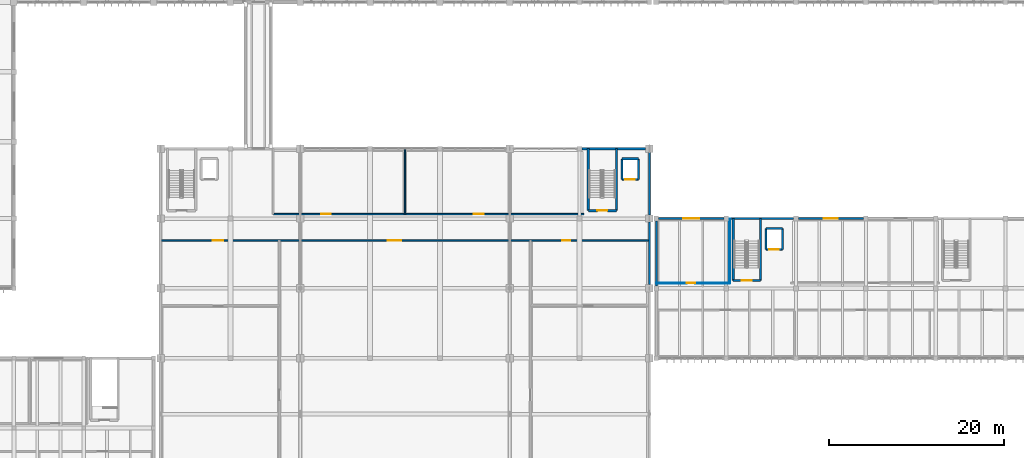
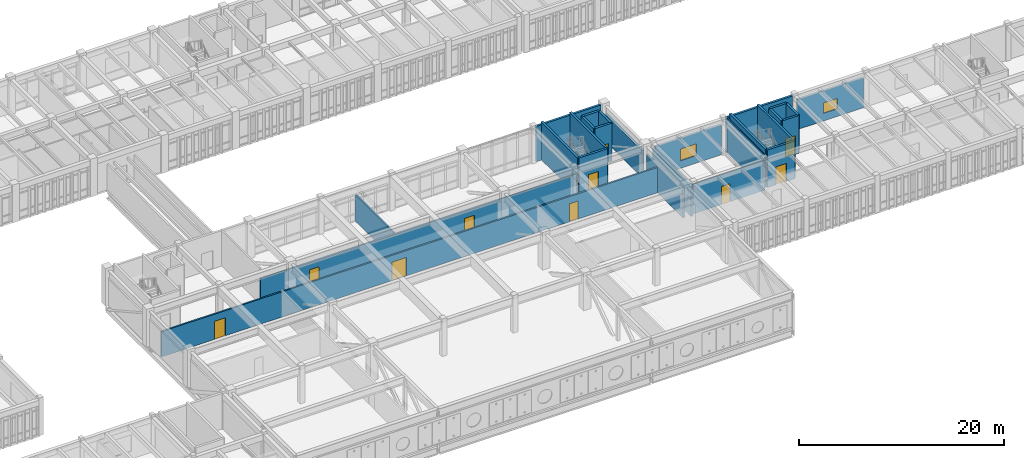
# One storey, part 57 of 79: 26 walls, 10 doors, 2 windows, 12 openings.
"""IFC4 building model written with IfcOpenShell, lengths in metres."""

import ifcopenshell
import ifcopenshell.guid

model = None  # the IFC model being written
_history = None  # IfcOwnerHistory: only IFC2X3 demands one
_inside = {}  # id of a spatial element -> (the spatial element, [elements in it])
_under = {}  # id of a project, library or spatial element -> (it, [spatial elements below it])
_declared = {}  # id of a project -> (the project, [libraries it declares])
_typed = {}  # id of a type object -> (the type object, [elements of that type])
_made_of = {}  # id of a material, layer set ... -> (it, [elements and type objects made of it])


def new_model(schema):
    """Start an empty IFC model of exactly this schema.

    Asked for "IFC4X3", IfcOpenShell would pick the latest addendum, in which some entities
    have other attributes; the version numbers below select the first issue.
    IFC2X3 requires an IfcOwnerHistory on every rooted entity: one is made here for all.
    """
    global model, _history
    if schema == "IFC4X3":
        model = ifcopenshell.file(schema_version=(4, 3, 0, 0))
    else:
        model = ifcopenshell.file(schema=schema)
    _inside.clear()
    _under.clear()
    _declared.clear()
    _typed.clear()
    _made_of.clear()
    _history = None
    if model.schema == "IFC2X3":
        org = make("IfcOrganization", Name="unknown")
        user = make(
            "IfcPersonAndOrganization",
            ThePerson=make("IfcPerson", FamilyName="unknown"),
            TheOrganization=org,
        )
        app = make(
            "IfcApplication",
            ApplicationDeveloper=org,
            Version="unknown",
            ApplicationFullName="unknown",
            ApplicationIdentifier="unknown",
        )
        _history = make(
            "IfcOwnerHistory",
            OwningUser=user,
            OwningApplication=app,
            ChangeAction="ADDED",
            CreationDate=0,
        )
    return model


def make(cls, **values):
    """One entity of the class cls with the attributes given. An attribute that is None is left unset."""
    return model.create_entity(
        cls, **{name: value for name, value in values.items() if value is not None}
    )


def rooted(cls, **values):
    """An entity with a GlobalId (a new one), such as an element, a storey or a relation."""
    return make(cls, GlobalId=ifcopenshell.guid.new(), OwnerHistory=_history, **values)


def si_unit(unit_type, name, prefix=None):
    """IfcSIUnit, for example si_unit("LENGTHUNIT", "METRE", prefix="MILLI")."""
    return make("IfcSIUnit", UnitType=unit_type, Prefix=prefix, Name=name)


def assignment(units):
    """IfcUnitAssignment: the units of a project."""
    return None if units is None else make("IfcUnitAssignment", Units=units)


def point(xyz):
    """IfcCartesianPoint."""
    return None if xyz is None else make("IfcCartesianPoint", Coordinates=xyz)


def direction(xyz):
    """IfcDirection."""
    return None if xyz is None else make("IfcDirection", DirectionRatios=xyz)


def frame(location, z_axis=None, x_axis=None):
    """IfcAxis2Placement3D, a coordinate frame: its origin and axes. An axis left out is left unset."""
    return make(
        "IfcAxis2Placement3D",
        Location=point(location),
        Axis=direction(z_axis),
        RefDirection=direction(x_axis),
    )


def frame_2d(location, x_axis=None):
    """IfcAxis2Placement2D, a coordinate frame in the plane: its origin and x axis."""
    return make(
        "IfcAxis2Placement2D", Location=point(location), RefDirection=direction(x_axis)
    )


def origin():
    """The frame at (0, 0, 0) with its axes left unset."""
    return frame((0.0, 0.0, 0.0))


def place(relative_to, where):
    """IfcLocalPlacement: puts the frame where relative to a parent placement (None: the world)."""
    return make(
        "IfcLocalPlacement", PlacementRelTo=relative_to, RelativePlacement=where
    )


def context(
    kind, dimensions, precision=None, world=None, true_north=None, identifier=None
):
    """IfcGeometricRepresentationContext, for example the 3D "Model" context."""
    return make(
        "IfcGeometricRepresentationContext",
        ContextIdentifier=identifier,
        ContextType=kind,
        CoordinateSpaceDimension=dimensions,
        Precision=precision,
        WorldCoordinateSystem=world,
        TrueNorth=true_north,
    )


def subcontext(parent, identifier, kind, view, scale=None):
    """IfcGeometricRepresentationSubContext, for example "Body" below "Model"."""
    return make(
        "IfcGeometricRepresentationSubContext",
        ContextIdentifier=identifier,
        ContextType=kind,
        ParentContext=parent,
        TargetScale=scale,
        TargetView=view,
    )


def project(units=None, contexts=None):
    """IfcProject with its units and contexts."""
    return rooted(
        "IfcProject",
        Name="project",
        RepresentationContexts=contexts,
        UnitsInContext=assignment(units),
    )


def spatial(cls, under=None, at=None, **own):
    """A site, building, storey or space (cls), placed at a placement, below another one or the project."""
    s = rooted(cls, ObjectPlacement=at, **own)
    if under is not None:
        _under.setdefault(under.id(), (under, []))[1].append(s)
    return s


def profile(cls, at=None, kind="AREA", **sizes):
    """A parametric profile (cls). Its sizes go by their IFC names, for example OverallWidth=200.0."""
    return make(cls, ProfileType=kind, Position=at, **sizes)


def rectangle(**sizes):
    """IfcRectangleProfileDef."""
    return profile("IfcRectangleProfileDef", **sizes)


def extrude(swept, where, along, depth):
    """IfcExtrudedAreaSolid: the profile swept, set in the frame where, extruded along a direction by depth."""
    return make(
        "IfcExtrudedAreaSolid",
        SweptArea=swept,
        Position=where,
        ExtrudedDirection=direction(along),
        Depth=depth,
    )


def shape(context_of_items, identifier, shape_type, items):
    """IfcShapeRepresentation: the items that make up one representation, for example the "Body"."""
    return make(
        "IfcShapeRepresentation",
        ContextOfItems=context_of_items,
        RepresentationIdentifier=identifier,
        RepresentationType=shape_type,
        Items=items,
    )


def material(Name=None, Category=None):
    """IfcMaterial."""
    return make("IfcMaterial", Name=Name, Category=Category)


def layer(
    of_material, thickness, ventilated=None, Name=None, Category=None, Priority=None
):
    """IfcMaterialLayer: one layer of a wall or slab, of a material (None: an air gap)."""
    return make(
        "IfcMaterialLayer",
        Material=of_material,
        LayerThickness=thickness,
        IsVentilated=ventilated,
        Name=Name,
        Category=Category,
        Priority=Priority,
    )


def layer_set(layers, Name=None):
    """IfcMaterialLayerSet."""
    return make("IfcMaterialLayerSet", MaterialLayers=layers, LayerSetName=Name)


def made_of(thing, what):
    """Note that an element or type object is made of a material, layer set ...; save() writes the relation."""
    if what is not None:
        _made_of.setdefault(what.id(), (what, []))[1].append(thing)
    return thing


def type_object(cls, material=None, **own):
    """A type object (cls), such as IfcWallType, which elements share."""
    return made_of(rooted(cls, **own), material)


def element(
    cls,
    number,
    at=None,
    inside=None,
    cuts=None,
    type_object=None,
    material=None,
    context=None,
    identifier="Body",
    shape_type=None,
    held_by="IfcProductDefinitionShape",
    body=None,
    shapes=None,
    **own,
):
    """One element of the class cls, such as IfcWall. Its Tag is "e" and its number.

    at: its placement. inside: the storey or other place that contains it. cuts: it is an
    opening in that element (IfcRelVoidsElement). A single representation is given by context,
    identifier, shape_type and body (its items); several are given by shapes. held_by: the class
    of the entity that holds the representations. save() writes the other relations.
    """
    e = rooted(cls, Tag="e%d" % number, ObjectPlacement=at, **own)
    if body is not None:
        shapes = [shape(context, identifier, shape_type, body)]
    if shapes is not None:
        e.Representation = make(held_by, Representations=shapes)
    if inside is not None:
        _inside.setdefault(inside.id(), (inside, []))[1].append(e)
    if cuts is not None:
        rooted(
            "IfcRelVoidsElement", RelatingBuildingElement=cuts, RelatedOpeningElement=e
        )
    if type_object is not None:
        _typed.setdefault(type_object.id(), (type_object, []))[1].append(e)
    return made_of(e, material)


def fill(opening, filler):
    """IfcRelFillsElement: the door or window that sits in an opening."""
    return rooted(
        "IfcRelFillsElement",
        RelatingOpeningElement=opening,
        RelatedBuildingElement=filler,
    )


def aggregate(whole, parts):
    """IfcRelAggregates: a whole, such as a stair, and the parts it consists of."""
    return rooted("IfcRelAggregates", RelatingObject=whole, RelatedObjects=parts)


def save(model, path):
    """Write the relations noted so far, then the file.

    IfcRelAggregates (storeys below a building ...), IfcRelContainedInSpatialStructure (elements
    in a storey), IfcRelDefinesByType, IfcRelAssociatesMaterial and IfcRelDeclares: one each for
    every whole, place, type object, material and project.
    """
    for whole, parts in _under.values():
        aggregate(whole, parts)
    for where, things in _inside.values():
        rooted(
            "IfcRelContainedInSpatialStructure",
            RelatedElements=things,
            RelatingStructure=where,
        )
    for kind, things in _typed.values():
        rooted("IfcRelDefinesByType", RelatedObjects=things, RelatingType=kind)
    for what, things in _made_of.values():
        rooted("IfcRelAssociatesMaterial", RelatedObjects=things, RelatingMaterial=what)
    for by, libraries in _declared.values():
        rooted("IfcRelDeclares", RelatingContext=by, RelatedDefinitions=libraries)
    model.write(path)


model = new_model("IFC4")

# Units and contexts
model_context = context("Model", 3, precision=1e-05, world=origin(), true_north=direction((0.0, 1.0)))
body_context = subcontext(model_context, "Body", "Model", "MODEL_VIEW")
ifc_project = project(units=[si_unit("LENGTHUNIT", "METRE"), si_unit("AREAUNIT", "SQUARE_METRE"), si_unit("VOLUMEUNIT", "CUBIC_METRE"), si_unit("PLANEANGLEUNIT", "RADIAN"), si_unit("MASSUNIT", "GRAM", prefix="KILO")], contexts=[model_context])

# Site, building, storey
site_placement = place(None, origin())
site = spatial("IfcSite", under=ifc_project, at=site_placement, CompositionType="ELEMENT")
building_placement = place(site_placement, origin())
building = spatial("IfcBuilding", under=site, at=building_placement, Name="Tlaxcora Railside Police Headquarters", CompositionType="ELEMENT")
storey_placement = place(building_placement, frame((0.0, 0.0, 9.0)))
storey = spatial("IfcBuildingStorey", under=building, at=storey_placement, Name="L02", CompositionType="ELEMENT", Elevation=9.0)

# Wall, opening, door
ifc_material_1 = material(Name="Gypsum acoustic partition board")
ifc_layer_1 = layer(ifc_material_1, 0.10791015625, Name="Gypsum acoustic partition board")
ifc_layer_set_1 = layer_set([ifc_layer_1], Name="Gypsum acoustic partition board")
wall_type_1 = type_object("IfcWallType", Name="Interior Partition Wall IW-19", PredefinedType="PARTITIONING", material=ifc_layer_set_1)
wall_1_placement = place(storey_placement, frame((102.800048828125, 44.60009765625, 0.0), z_axis=(0.0, 0.0, 1.0), x_axis=(1.0, 0.0, 0.0)))
wall_1 = element("IfcWall", 1, at=wall_1_placement, inside=storey, type_object=wall_type_1, Name="V7 L02 interior partition 143", PredefinedType="PARTITIONING", context=body_context, shape_type="SweptSolid", body=[
    extrude(rectangle(XDim=8.39990234375, YDim=0.10791015625, at=frame_2d((4.199951171875, 0.0))), origin(), (0.0, 0.0, 1.0), 3.554931640625),
])
opening_1_placement = place(wall_1_placement, frame((3.5, 0.0, 0.0)))
opening_1 = element("IfcOpeningElement", 2, at=opening_1_placement, cuts=wall_1, Name="Opening D-L02-179", PredefinedType="OPENING", context=body_context, shape_type="SweptSolid", body=[
    extrude(rectangle(XDim=0.949951171875, YDim=2.14990234375, at=frame_2d((0.47509765625, 1.074951171875))), frame((0.0, 0.06396484375, 0.0), z_axis=(0.0, -1.0, 0.0), x_axis=(1.0, 0.0, 0.0)), (0.0, 0.0, 1.0), 0.1279296875),
])
ifc_material_2 = material(Name="Steel ASTM A992 Grade 50", Category="steel")
door_type_1 = type_object("IfcDoorType", Name="Swing or Sliding Personnel Door ID-31", OperationType="NOTDEFINED", PredefinedType="DOOR", material=ifc_material_2)
door_1_placement = place(opening_1_placement, origin())
door_1 = element("IfcDoor", 3, at=door_1_placement, inside=storey, type_object=door_type_1, Name="V7 L02 door D-L02-179", OperationType="SINGLE_SWING_LEFT", OverallHeight=2.14990234375, OverallWidth=0.949951171875, PredefinedType="DOOR", context=body_context, shape_type="SweptSolid", body=[
    extrude(rectangle(XDim=0.949951171875, YDim=2.14990234375, at=frame_2d((0.47509765625, 1.074951171875))), frame((0.0, 0.02490234375, 0.0), z_axis=(0.0, -1.0, 0.0), x_axis=(1.0, 0.0, 0.0)), (0.0, 0.0, 1.0), 0.050048828125),
])
fill(opening_1, door_1)

# Wall, openings, doors
ifc_layer_2 = layer(ifc_material_1, 0.175048828125, Name="Gypsum acoustic partition board")
ifc_layer_set_2 = layer_set([ifc_layer_2], Name="Gypsum acoustic partition board")
wall_type_2 = type_object("IfcWallType", Name="Interior Partition Wall IW-22", PredefinedType="PARTITIONING", material=ifc_layer_set_2)
wall_2_placement = place(storey_placement, frame((46.0, 49.5, 0.0), z_axis=(0.0, 0.0, 1.0), x_axis=(1.0, 0.0, 0.0)))
wall_2 = element("IfcWall", 4, at=wall_2_placement, inside=storey, type_object=wall_type_2, Name="V2 L02 interior partition 135", PredefinedType="PARTITIONING", context=body_context, shape_type="SweptSolid", body=[
    extrude(rectangle(XDim=56.0, YDim=0.175048828125, at=frame_2d((28.0, 0.0))), origin(), (0.0, 0.0, 1.0), 3.0048828125),
])
opening_2_placement = place(wall_2_placement, frame((6.0, 0.0, 0.0)))
opening_2 = element("IfcOpeningElement", 5, at=opening_2_placement, cuts=wall_2, Name="Opening D-L02-170", PredefinedType="OPENING", context=body_context, shape_type="SweptSolid", body=[
    extrude(rectangle(XDim=1.199951171875, YDim=2.14990234375, at=frame_2d((0.60009765625, 1.074951171875))), frame((0.0, 0.09765625, 0.0), z_axis=(0.0, -1.0, 0.0), x_axis=(1.0, 0.0, 0.0)), (0.0, 0.0, 1.0), 0.195068359375),
])
opening_3_placement = place(wall_2_placement, frame((26.0, 0.0, 0.0)))
opening_3 = element("IfcOpeningElement", 6, at=opening_3_placement, cuts=wall_2, Name="Opening D-L02-171", PredefinedType="OPENING", context=body_context, shape_type="SweptSolid", body=[
    extrude(rectangle(XDim=1.60009765625, YDim=2.199951171875, at=frame_2d((0.800048828125, 1.10009765625))), frame((0.0, 0.09765625, 0.0), z_axis=(0.0, -1.0, 0.0), x_axis=(1.0, 0.0, 0.0)), (0.0, 0.0, 1.0), 0.195068359375),
])
opening_4_placement = place(wall_2_placement, frame((46.0, 0.0, 0.0)))
opening_4 = element("IfcOpeningElement", 7, at=opening_4_placement, cuts=wall_2, Name="Opening D-L02-172", PredefinedType="OPENING", context=body_context, shape_type="SweptSolid", body=[
    extrude(rectangle(XDim=0.949951171875, YDim=2.14990234375, at=frame_2d((0.47509765625, 1.074951171875))), frame((0.0, 0.09765625, 0.0), z_axis=(0.0, -1.0, 0.0), x_axis=(1.0, 0.0, 0.0)), (0.0, 0.0, 1.0), 0.195068359375),
])
door_type_2 = type_object("IfcDoorType", Name="Swing or Sliding Personnel Door ID-14", OperationType="NOTDEFINED", PredefinedType="DOOR", material=ifc_material_2)
door_2_placement = place(opening_2_placement, origin())
door_2 = element("IfcDoor", 8, at=door_2_placement, inside=storey, type_object=door_type_2, Name="V2 L02 door D-L02-170", OperationType="DOUBLE_DOOR_SINGLE_SWING", OverallHeight=2.14990234375, OverallWidth=1.199951171875, PredefinedType="DOOR", context=body_context, shape_type="SweptSolid", body=[
    extrude(rectangle(XDim=1.199951171875, YDim=2.14990234375, at=frame_2d((0.60009765625, 1.074951171875))), frame((0.0, 0.02490234375, 0.0), z_axis=(0.0, -1.0, 0.0), x_axis=(1.0, 0.0, 0.0)), (0.0, 0.0, 1.0), 0.050048828125),
])
fill(opening_2, door_2)
door_3_placement = place(opening_4_placement, origin())
door_3 = element("IfcDoor", 9, at=door_3_placement, inside=storey, type_object=door_type_1, Name="V2 L02 door D-L02-172", OperationType="SINGLE_SWING_RIGHT", OverallHeight=2.14990234375, OverallWidth=0.949951171875, PredefinedType="DOOR", context=body_context, shape_type="SweptSolid", body=[
    extrude(rectangle(XDim=0.949951171875, YDim=2.14990234375, at=frame_2d((0.47509765625, 1.074951171875))), frame((0.0, 0.02490234375, 0.0), z_axis=(0.0, -1.0, 0.0), x_axis=(1.0, 0.0, 0.0)), (0.0, 0.0, 1.0), 0.050048828125),
])
fill(opening_4, door_3)
door_type_3 = type_object("IfcDoorType", Name="Swing or Sliding Personnel Door ID-77", OperationType="NOTDEFINED", PredefinedType="DOOR", material=ifc_material_2)
door_4_placement = place(opening_3_placement, origin())
door_4 = element("IfcDoor", 10, at=door_4_placement, inside=storey, type_object=door_type_3, Name="V2 L02 door D-L02-171", OperationType="DOUBLE_DOOR_SINGLE_SWING", OverallHeight=2.199951171875, OverallWidth=1.60009765625, PredefinedType="DOOR", context=body_context, shape_type="SweptSolid", body=[
    extrude(rectangle(XDim=1.60009765625, YDim=2.199951171875, at=frame_2d((0.800048828125, 1.10009765625))), frame((0.0, 0.02490234375, 0.0), z_axis=(0.0, -1.0, 0.0), x_axis=(1.0, 0.0, 0.0)), (0.0, 0.0, 1.0), 0.050048828125),
])
fill(opening_3, door_4)

# Wall
ifc_layer_3 = layer(ifc_material_1, 0.10009765625, Name="Gypsum acoustic partition board")
ifc_layer_set_3 = layer_set([ifc_layer_3], Name="Gypsum acoustic partition board")
wall_type_3 = type_object("IfcWallType", Name="Interior Partition Wall IW-45", PredefinedType="PARTITIONING", material=ifc_layer_set_3)
wall_3_placement = place(storey_placement, frame((111.199951171875, 44.60009765625, 0.0), z_axis=(0.0, 0.0, 1.0), x_axis=(0.0, 1.0, 0.0)))
element("IfcWall", 11, at=wall_3_placement, inside=storey, type_object=wall_type_3, Name="V7 L02 interior partition 144", PredefinedType="PARTITIONING", context=body_context, shape_type="SweptSolid", body=[
    extrude(rectangle(XDim=7.39990234375, YDim=0.10009765625, at=frame_2d((3.699951171875, 0.0))), origin(), (0.0, 0.0, 1.0), 4.219970703125),
])

# Wall, openings, doors
ifc_layer_4 = layer(ifc_material_1, 0.159912109375, Name="Gypsum acoustic partition board")
ifc_layer_set_4 = layer_set([ifc_layer_4], Name="Gypsum acoustic partition board")
wall_type_4 = type_object("IfcWallType", Name="Interior Partition Wall IW-73", PredefinedType="PARTITIONING", material=ifc_layer_set_4)
wall_4_placement = place(storey_placement, frame((58.89990234375, 52.5, 0.0), z_axis=(0.0, 0.0, 1.0), x_axis=(1.0, 0.0, 0.0)))
wall_4 = element("IfcWall", 12, at=wall_4_placement, inside=storey, type_object=wall_type_4, Name="V2 L02 interior partition 136", PredefinedType="PARTITIONING", context=body_context, shape_type="SweptSolid", body=[
    extrude(rectangle(XDim=35.60009765625, YDim=0.159912109375, at=frame_2d((17.800048828125, 0.0))), origin(), (0.0, 0.0, 1.0), 3.0048828125),
])
opening_5_placement = place(wall_4_placement, frame((5.5, 0.0, 0.0)))
opening_5 = element("IfcOpeningElement", 13, at=opening_5_placement, cuts=wall_4, Name="Opening D-L02-173", PredefinedType="OPENING", context=body_context, shape_type="SweptSolid", body=[
    extrude(rectangle(XDim=1.10009765625, YDim=2.10009765625, at=frame_2d((0.550048828125, 1.050048828125))), frame((0.0, 0.08984375, 0.0), z_axis=(0.0, -1.0, 0.0), x_axis=(1.0, 0.0, 0.0)), (0.0, 0.0, 1.0), 0.179931640625),
])
opening_6_placement = place(wall_4_placement, frame((23.0, 0.0, 0.0)))
opening_6 = element("IfcOpeningElement", 14, at=opening_6_placement, cuts=wall_4, Name="Opening D-L02-174", PredefinedType="OPENING", context=body_context, shape_type="SweptSolid", body=[
    extrude(rectangle(XDim=1.10009765625, YDim=2.10009765625, at=frame_2d((0.550048828125, 1.050048828125))), frame((0.0, 0.08984375, 0.0), z_axis=(0.0, -1.0, 0.0), x_axis=(1.0, 0.0, 0.0)), (0.0, 0.0, 1.0), 0.179931640625),
])
door_type_4 = type_object("IfcDoorType", Name="Swing or Sliding Personnel Door ID-66", OperationType="NOTDEFINED", PredefinedType="DOOR", material=ifc_material_2)
door_5_placement = place(opening_5_placement, origin())
door_5 = element("IfcDoor", 15, at=door_5_placement, inside=storey, type_object=door_type_4, Name="V2 L02 door D-L02-173", OperationType="SINGLE_SWING_LEFT", OverallHeight=2.10009765625, OverallWidth=1.10009765625, PredefinedType="DOOR", context=body_context, shape_type="SweptSolid", body=[
    extrude(rectangle(XDim=1.10009765625, YDim=2.10009765625, at=frame_2d((0.550048828125, 1.050048828125))), frame((0.0, 0.02490234375, 0.0), z_axis=(0.0, -1.0, 0.0), x_axis=(1.0, 0.0, 0.0)), (0.0, 0.0, 1.0), 0.050048828125),
])
fill(opening_5, door_5)
door_6_placement = place(opening_6_placement, origin())
door_6 = element("IfcDoor", 16, at=door_6_placement, inside=storey, type_object=door_type_4, Name="V2 L02 door D-L02-174", OperationType="SINGLE_SWING_RIGHT", OverallHeight=2.10009765625, OverallWidth=1.10009765625, PredefinedType="DOOR", context=body_context, shape_type="SweptSolid", body=[
    extrude(rectangle(XDim=1.10009765625, YDim=2.10009765625, at=frame_2d((0.550048828125, 1.050048828125))), frame((0.0, 0.02490234375, 0.0), z_axis=(0.0, -1.0, 0.0), x_axis=(1.0, 0.0, 0.0)), (0.0, 0.0, 1.0), 0.050048828125),
])
fill(opening_6, door_6)

# Wall
ifc_layer_5 = layer(ifc_material_1, 0.14990234375, Name="Gypsum acoustic partition board")
ifc_layer_set_5 = layer_set([ifc_layer_5], Name="Gypsum acoustic partition board")
wall_type_5 = type_object("IfcWallType", Name="Interior Partition Wall IW-91", PredefinedType="PARTITIONING", material=ifc_layer_set_5)
wall_5_placement = place(storey_placement, frame((74.0, 52.5, 0.0), z_axis=(0.0, 0.0, 1.0), x_axis=(0.0, 1.0, 0.0)))
element("IfcWall", 17, at=wall_5_placement, inside=storey, type_object=wall_type_5, Name="V2 L02 interior partition 138", PredefinedType="PARTITIONING", context=body_context, shape_type="SweptSolid", body=[
    extrude(rectangle(XDim=7.5, YDim=0.14990234375, at=frame_2d((3.75, 0.0))), origin(), (0.0, 0.0, 1.0), 3.18505859375),
])

# Wall, opening, door
ifc_material_3 = material(Name="Concrete C40/50", Category="concrete")
ifc_layer_6 = layer(ifc_material_3, 0.25, Name="Concrete C40/50")
ifc_layer_set_6 = layer_set([ifc_layer_6], Name="Concrete C40/50")
wall_type_6 = type_object("IfcWallType", Name="Shear Core Wall IW-13", PredefinedType="SHEAR", material=ifc_layer_set_6)
wall_6_placement = place(storey_placement, frame((95.0, 52.89990234375, 0.0), z_axis=(0.0, 0.0, 1.0), x_axis=(1.0, 0.0, 0.0)))
wall_6 = element("IfcWall", 18, at=wall_6_placement, inside=storey, type_object=wall_type_6, Name="CORE-C5 L02 stair core wall S", PredefinedType="SHEAR", context=body_context, shape_type="SweptSolid", body=[
    extrude(rectangle(XDim=3.219970703125, YDim=0.25, at=frame_2d((1.60986328125, 0.0))), origin(), (0.0, 0.0, 1.0), 4.5),
])
opening_7_placement = place(wall_6_placement, frame((1.034912109375, 0.0, 0.0)))
opening_7 = element("IfcOpeningElement", 19, at=opening_7_placement, cuts=wall_6, Name="Opening SD-L02-039", PredefinedType="OPENING", context=body_context, shape_type="SweptSolid", body=[
    extrude(rectangle(XDim=1.14990234375, YDim=2.14990234375, at=frame_2d((0.574951171875, 1.074951171875))), frame((0.0, 0.135009765625, 0.0), z_axis=(0.0, -1.0, 0.0), x_axis=(1.0, 0.0, 0.0)), (0.0, 0.0, 1.0), 0.27001953125),
])
door_type_5 = type_object("IfcDoorType", Name="Swing or Sliding Personnel Door ID-73", OperationType="NOTDEFINED", PredefinedType="DOOR", material=ifc_material_2)
door_7_placement = place(opening_7_placement, origin())
door_7 = element("IfcDoor", 20, at=door_7_placement, inside=storey, type_object=door_type_5, Name="Stair ST9 L02 enclosure fire door", OperationType="SINGLE_SWING_LEFT", OverallHeight=2.14990234375, OverallWidth=1.14990234375, PredefinedType="DOOR", context=body_context, shape_type="SweptSolid", body=[
    extrude(rectangle(XDim=1.14990234375, YDim=2.14990234375, at=frame_2d((0.574951171875, 1.074951171875))), frame((0.0, 0.02490234375, 0.0), z_axis=(0.0, -1.0, 0.0), x_axis=(1.0, 0.0, 0.0)), (0.0, 0.0, 1.0), 0.050048828125),
])
fill(opening_7, door_7)

# Walls
for number, where, z_axis, x_axis, name in (
    (21, (98.219970703125, 52.89990234375, 0.0), (0.0, 0.0, 1.0), (0.0, 1.0, 0.0), "CORE-C5 L02 stair core wall E"),
    (22, (95.0, 60.0, 0.0), (0.0, 0.0, 1.0), (0.0, -1.0, 0.0), "CORE-C5 L02 stair core wall W"),
):
    element("IfcWall", number, at=place(storey_placement, frame(where, z_axis=z_axis, x_axis=x_axis)), inside=storey, type_object=wall_type_6, Name=name, PredefinedType="SHEAR", context=body_context, shape_type="SweptSolid", body=[
        extrude(rectangle(XDim=7.10009765625, YDim=0.25, at=frame_2d((3.550048828125, 0.0))), origin(), (0.0, 0.0, 1.0), 4.5),
    ])

# Wall, opening, door
wall_7_placement = place(storey_placement, frame((98.860107421875, 56.4599609375, 0.0), z_axis=(0.0, 0.0, 1.0), x_axis=(1.0, 0.0, 0.0)))
wall_7 = element("IfcWall", 23, at=wall_7_placement, inside=storey, type_object=wall_type_6, Name="Lift PL-05 L02 shaft wall S", PredefinedType="SHEAR", context=body_context, shape_type="SweptSolid", body=[
    extrude(rectangle(XDim=1.8798828125, YDim=0.25, at=frame_2d((0.93994140625, 0.0))), origin(), (0.0, 0.0, 1.0), 4.5),
])
opening_8_placement = place(wall_7_placement, frame((0.389892578125, 0.0, 0.0)))
opening_8 = element("IfcOpeningElement", 24, at=opening_8_placement, cuts=wall_7, Name="Opening LD-PL-05-L02", PredefinedType="OPENING", context=body_context, shape_type="SweptSolid", body=[
    extrude(rectangle(XDim=1.10009765625, YDim=2.199951171875, at=frame_2d((0.550048828125, 1.10009765625))), frame((0.0, 0.135009765625, 0.0), z_axis=(0.0, -1.0, 0.0), x_axis=(1.0, 0.0, 0.0)), (0.0, 0.0, 1.0), 0.27001953125),
])
door_type_6 = type_object("IfcDoorType", Name="Swing or Sliding Personnel Door ID-15", OperationType="NOTDEFINED", PredefinedType="DOOR", material=ifc_material_2)
door_8_placement = place(opening_8_placement, origin())
door_8 = element("IfcDoor", 25, at=door_8_placement, inside=storey, type_object=door_type_6, Name="Lift PL-05 L02 sliding landing door", OperationType="DOUBLE_DOOR_SLIDING", OverallHeight=2.199951171875, OverallWidth=1.10009765625, PredefinedType="DOOR", context=body_context, shape_type="SweptSolid", body=[
    extrude(rectangle(XDim=1.10009765625, YDim=2.199951171875, at=frame_2d((0.550048828125, 1.10009765625))), frame((0.0, 0.02490234375, 0.0), z_axis=(0.0, -1.0, 0.0), x_axis=(1.0, 0.0, 0.0)), (0.0, 0.0, 1.0), 0.050048828125),
])
fill(opening_8, door_8)

# Walls
wall_8_placement = place(storey_placement, frame((100.739990234375, 56.4599609375, 0.0), z_axis=(0.0, 0.0, 1.0), x_axis=(0.0, 1.0, 0.0)))
element("IfcWall", 26, at=wall_8_placement, inside=storey, type_object=wall_type_6, Name="Lift PL-05 L02 shaft wall E", PredefinedType="SHEAR", context=body_context, shape_type="SweptSolid", body=[
    extrude(rectangle(XDim=2.380126953125, YDim=0.25, at=frame_2d((1.18994140625, 0.0))), origin(), (0.0, 0.0, 1.0), 4.5),
])
wall_9_placement = place(storey_placement, frame((100.739990234375, 58.840087890625, 0.0), z_axis=(0.0, 0.0, 1.0), x_axis=(-1.0, 0.0, 0.0)))
element("IfcWall", 27, at=wall_9_placement, inside=storey, type_object=wall_type_6, Name="Lift PL-05 L02 shaft wall N", PredefinedType="SHEAR", context=body_context, shape_type="SweptSolid", body=[
    extrude(rectangle(XDim=1.8798828125, YDim=0.25, at=frame_2d((0.93994140625, 0.0))), origin(), (0.0, 0.0, 1.0), 4.5),
])
wall_10_placement = place(storey_placement, frame((98.860107421875, 58.840087890625, 0.0), z_axis=(0.0, 0.0, 1.0), x_axis=(0.0, -1.0, 0.0)))
element("IfcWall", 28, at=wall_10_placement, inside=storey, type_object=wall_type_6, Name="Lift PL-05 L02 shaft wall W", PredefinedType="SHEAR", context=body_context, shape_type="SweptSolid", body=[
    extrude(rectangle(XDim=2.380126953125, YDim=0.25, at=frame_2d((1.18994140625, 0.0))), origin(), (0.0, 0.0, 1.0), 4.5),
])

# Wall, opening, door
wall_11_placement = place(storey_placement, frame((111.60009765625, 44.89990234375, 0.0), z_axis=(0.0, 0.0, 1.0), x_axis=(1.0, 0.0, 0.0)))
wall_11 = element("IfcWall", 29, at=wall_11_placement, inside=storey, type_object=wall_type_6, Name="CORE-C7 L02 stair core wall S", PredefinedType="SHEAR", context=body_context, shape_type="SweptSolid", body=[
    extrude(rectangle(XDim=3.119873046875, YDim=0.25, at=frame_2d((1.56005859375, 0.0))), origin(), (0.0, 0.0, 1.0), 4.5),
])
opening_9_placement = place(wall_11_placement, frame((0.985107421875, 0.0, 0.0)))
opening_9 = element("IfcOpeningElement", 30, at=opening_9_placement, cuts=wall_11, Name="Opening SD-L02-049", PredefinedType="OPENING", context=body_context, shape_type="SweptSolid", body=[
    extrude(rectangle(XDim=1.14990234375, YDim=2.14990234375, at=frame_2d((0.574951171875, 1.074951171875))), frame((0.0, 0.135009765625, 0.0), z_axis=(0.0, -1.0, 0.0), x_axis=(1.0, 0.0, 0.0)), (0.0, 0.0, 1.0), 0.27001953125),
])
door_9_placement = place(opening_9_placement, origin())
door_9 = element("IfcDoor", 31, at=door_9_placement, inside=storey, type_object=door_type_5, Name="Stair ST5 L02 enclosure fire door", OperationType="SINGLE_SWING_LEFT", OverallHeight=2.14990234375, OverallWidth=1.14990234375, PredefinedType="DOOR", context=body_context, shape_type="SweptSolid", body=[
    extrude(rectangle(XDim=1.14990234375, YDim=2.14990234375, at=frame_2d((0.574951171875, 1.074951171875))), frame((0.0, 0.02490234375, 0.0), z_axis=(0.0, -1.0, 0.0), x_axis=(1.0, 0.0, 0.0)), (0.0, 0.0, 1.0), 0.050048828125),
])
fill(opening_9, door_9)

# Walls
for number, where, z_axis, x_axis, name in (
    (32, (114.719970703125, 44.89990234375, 0.0), (0.0, 0.0, 1.0), (0.0, 1.0, 0.0), "CORE-C7 L02 stair core wall E"),
    (33, (111.60009765625, 52.0, 0.0), (0.0, 0.0, 1.0), (0.0, -1.0, 0.0), "CORE-C7 L02 stair core wall W"),
):
    element("IfcWall", number, at=place(storey_placement, frame(where, z_axis=z_axis, x_axis=x_axis)), inside=storey, type_object=wall_type_6, Name=name, PredefinedType="SHEAR", context=body_context, shape_type="SweptSolid", body=[
        extrude(rectangle(XDim=7.10009765625, YDim=0.25, at=frame_2d((3.550048828125, 0.0))), origin(), (0.0, 0.0, 1.0), 4.5),
    ])

# Wall, opening, door
wall_12_placement = place(storey_placement, frame((115.360107421875, 48.4599609375, 0.0), z_axis=(0.0, 0.0, 1.0), x_axis=(1.0, 0.0, 0.0)))
wall_12 = element("IfcWall", 34, at=wall_12_placement, inside=storey, type_object=wall_type_6, Name="Lift CL-01 L02 shaft wall S", PredefinedType="SHEAR", context=body_context, shape_type="SweptSolid", body=[
    extrude(rectangle(XDim=1.8798828125, YDim=0.25, at=frame_2d((0.93994140625, 0.0))), origin(), (0.0, 0.0, 1.0), 4.5),
])
opening_10_placement = place(wall_12_placement, frame((0.389892578125, 0.0, 0.0)))
opening_10 = element("IfcOpeningElement", 35, at=opening_10_placement, cuts=wall_12, Name="Opening LD-CL-01-L02", PredefinedType="OPENING", context=body_context, shape_type="SweptSolid", body=[
    extrude(rectangle(XDim=1.10009765625, YDim=2.199951171875, at=frame_2d((0.550048828125, 1.10009765625))), frame((0.0, 0.135009765625, 0.0), z_axis=(0.0, -1.0, 0.0), x_axis=(1.0, 0.0, 0.0)), (0.0, 0.0, 1.0), 0.27001953125),
])
door_10_placement = place(opening_10_placement, origin())
door_10 = element("IfcDoor", 36, at=door_10_placement, inside=storey, type_object=door_type_6, Name="Lift CL-01 L02 sliding landing door", OperationType="DOUBLE_DOOR_SLIDING", OverallHeight=2.199951171875, OverallWidth=1.10009765625, PredefinedType="DOOR", context=body_context, shape_type="SweptSolid", body=[
    extrude(rectangle(XDim=1.10009765625, YDim=2.199951171875, at=frame_2d((0.550048828125, 1.10009765625))), frame((0.0, 0.02490234375, 0.0), z_axis=(0.0, -1.0, 0.0), x_axis=(1.0, 0.0, 0.0)), (0.0, 0.0, 1.0), 0.050048828125),
])
fill(opening_10, door_10)

# Walls
wall_13_placement = place(storey_placement, frame((117.239990234375, 48.4599609375, 0.0), z_axis=(0.0, 0.0, 1.0), x_axis=(0.0, 1.0, 0.0)))
element("IfcWall", 37, at=wall_13_placement, inside=storey, type_object=wall_type_6, Name="Lift CL-01 L02 shaft wall E", PredefinedType="SHEAR", context=body_context, shape_type="SweptSolid", body=[
    extrude(rectangle(XDim=2.380126953125, YDim=0.25, at=frame_2d((1.18994140625, 0.0))), origin(), (0.0, 0.0, 1.0), 4.5),
])
wall_14_placement = place(storey_placement, frame((117.239990234375, 50.840087890625, 0.0), z_axis=(0.0, 0.0, 1.0), x_axis=(-1.0, 0.0, 0.0)))
element("IfcWall", 38, at=wall_14_placement, inside=storey, type_object=wall_type_6, Name="Lift CL-01 L02 shaft wall N", PredefinedType="SHEAR", context=body_context, shape_type="SweptSolid", body=[
    extrude(rectangle(XDim=1.8798828125, YDim=0.25, at=frame_2d((0.93994140625, 0.0))), origin(), (0.0, 0.0, 1.0), 4.5),
])
wall_15_placement = place(storey_placement, frame((115.360107421875, 50.840087890625, 0.0), z_axis=(0.0, 0.0, 1.0), x_axis=(0.0, -1.0, 0.0)))
element("IfcWall", 39, at=wall_15_placement, inside=storey, type_object=wall_type_6, Name="Lift CL-01 L02 shaft wall W", PredefinedType="SHEAR", context=body_context, shape_type="SweptSolid", body=[
    extrude(rectangle(XDim=2.380126953125, YDim=0.25, at=frame_2d((1.18994140625, 0.0))), origin(), (0.0, 0.0, 1.0), 4.5),
])
ifc_material_4 = material(Name="Precast concrete C40/50", Category="concrete")
ifc_layer_7 = layer(ifc_material_4, 0.2451171875, Name="Precast concrete C40/50")
ifc_layer_set_7 = layer_set([ifc_layer_7], Name="Precast concrete C40/50")
wall_type_7 = type_object("IfcWallType", Name="Structural Bearing Wall EW-94", PredefinedType="SOLIDWALL", material=ifc_layer_set_7)
for number, where, z_axis, x_axis, name in (
    (40, (102.0, 44.425048828125, 0.0), (0.0, 0.0, 1.0), (0.0, 1.0, 0.0), "V2 L02 exterior wall 1.2"),
    (41, (102.0, 52.425048828125, 0.0), (0.0, 0.0, 1.0), (0.0, 1.0, 0.0), "V2 L02 exterior wall 1.3"),
):
    element("IfcWall", number, at=place(storey_placement, frame(where, z_axis=z_axis, x_axis=x_axis)), inside=storey, type_object=wall_type_7, Name=name, PredefinedType="SOLIDWALL", context=body_context, shape_type="SweptSolid", body=[
        extrude(rectangle(XDim=7.14990234375, YDim=0.2451171875, at=frame_2d((3.574951171875, 0.0))), origin(), (0.0, 0.0, 1.0), 3.219970703125),
    ])
wall_16_placement = place(storey_placement, frame((101.574951171875, 60.0, 0.0), z_axis=(0.0, 0.0, 1.0), x_axis=(-1.0, 0.0, 0.0)))
element("IfcWall", 42, at=wall_16_placement, inside=storey, type_object=wall_type_7, Name="V2 L02 exterior wall 2.0", PredefinedType="SOLIDWALL", context=body_context, shape_type="SweptSolid", body=[
    extrude(rectangle(XDim=7.300048828125, YDim=0.2451171875, at=frame_2d((3.64990234375, 0.0))), origin(), (0.0, 0.0, 1.0), 4.219970703125),
])

# Wall, opening, window
wall_17_placement = place(storey_placement, frame((126.52490234375, 52.0, 0.0), z_axis=(0.0, 0.0, 1.0), x_axis=(-1.0, 0.0, 0.0)))
wall_17 = element("IfcWall", 43, at=wall_17_placement, inside=storey, type_object=wall_type_7, Name="V7 L02 exterior wall 2.4", PredefinedType="SOLIDWALL", context=body_context, shape_type="SweptSolid", body=[
    extrude(rectangle(XDim=7.449951171875, YDim=0.2451171875, at=frame_2d((3.72509765625, 0.0))), origin(), (0.0, 0.0, 1.0), 3.570068359375),
])
opening_11_placement = place(wall_17_placement, frame((2.925048828125, 0.0, 0.89990234375)))
opening_11 = element("IfcOpeningElement", 44, at=opening_11_placement, cuts=wall_17, Name="Opening WN-63", PredefinedType="OPENING", context=body_context, shape_type="SweptSolid", body=[
    extrude(rectangle(XDim=1.60009765625, YDim=1.25, at=frame_2d((0.800048828125, 0.625))), frame((0.0, 0.132568359375, 0.0), z_axis=(0.0, -1.0, 0.0), x_axis=(1.0, 0.0, 0.0)), (0.0, 0.0, 1.0), 0.26513671875),
])
ifc_material_5 = material(Name="Thermally broken low-E insulated glazing", Category="glass")
window_type_1 = type_object("IfcWindowType", Name="Exterior Framed or Circular Window WN-63", PartitioningType="SINGLE_PANEL", PredefinedType="WINDOW", material=ifc_material_5)
window_1_placement = place(opening_11_placement, origin())
window_1 = element("IfcWindow", 45, at=window_1_placement, inside=storey, type_object=window_type_1, Name="V7 L02 window 211", OverallHeight=1.25, OverallWidth=1.60009765625, PartitioningType="SINGLE_PANEL", PredefinedType="WINDOW", context=body_context, shape_type="SweptSolid", body=[
    extrude(rectangle(XDim=1.60009765625, YDim=1.25, at=frame_2d((0.800048828125, 0.625))), frame((0.0, 0.030029296875, 0.0), z_axis=(0.0, -1.0, 0.0), x_axis=(1.0, 0.0, 0.0)), (0.0, 0.0, 1.0), 0.06005859375),
])
fill(opening_11, window_1)

# Wall
wall_18_placement = place(storey_placement, frame((118.52490234375, 52.0, 0.0), z_axis=(0.0, 0.0, 1.0), x_axis=(-1.0, 0.0, 0.0)))
element("IfcWall", 46, at=wall_18_placement, inside=storey, type_object=wall_type_7, Name="V7 L02 exterior wall 2.5", PredefinedType="SOLIDWALL", context=body_context, shape_type="SweptSolid", body=[
    extrude(rectangle(XDim=7.449951171875, YDim=0.2451171875, at=frame_2d((3.72509765625, 0.0))), origin(), (0.0, 0.0, 1.0), 4.219970703125),
])

# Wall, opening, window
wall_19_placement = place(storey_placement, frame((110.52490234375, 52.0, 0.0), z_axis=(0.0, 0.0, 1.0), x_axis=(-1.0, 0.0, 0.0)))
wall_19 = element("IfcWall", 47, at=wall_19_placement, inside=storey, type_object=wall_type_7, Name="V7 L02 exterior wall 2.6", PredefinedType="SOLIDWALL", context=body_context, shape_type="SweptSolid", body=[
    extrude(rectangle(XDim=7.449951171875, YDim=0.2451171875, at=frame_2d((3.72509765625, 0.0))), origin(), (0.0, 0.0, 1.0), 3.570068359375),
])
opening_12_placement = place(wall_19_placement, frame((2.824951171875, 0.0, 0.89990234375)))
opening_12 = element("IfcOpeningElement", 48, at=opening_12_placement, cuts=wall_19, Name="Opening WN-70", PredefinedType="OPENING", context=body_context, shape_type="SweptSolid", body=[
    extrude(rectangle(XDim=1.800048828125, YDim=1.39990234375, at=frame_2d((0.89990234375, 0.699951171875))), frame((0.0, 0.132568359375, 0.0), z_axis=(0.0, -1.0, 0.0), x_axis=(1.0, 0.0, 0.0)), (0.0, 0.0, 1.0), 0.26513671875),
])
window_type_2 = type_object("IfcWindowType", Name="Exterior Framed or Circular Window WN-70", PartitioningType="SINGLE_PANEL", PredefinedType="WINDOW", material=ifc_material_5)
window_2_placement = place(opening_12_placement, origin())
window_2 = element("IfcWindow", 49, at=window_2_placement, inside=storey, type_object=window_type_2, Name="V7 L02 window 212", OverallHeight=1.39990234375, OverallWidth=1.800048828125, PartitioningType="SINGLE_PANEL", PredefinedType="WINDOW", context=body_context, shape_type="SweptSolid", body=[
    extrude(rectangle(XDim=1.800048828125, YDim=1.39990234375, at=frame_2d((0.89990234375, 0.699951171875))), frame((0.0, 0.030029296875, 0.0), z_axis=(0.0, -1.0, 0.0), x_axis=(1.0, 0.0, 0.0)), (0.0, 0.0, 1.0), 0.06005859375),
])
fill(opening_12, window_2)

# Wall
wall_20_placement = place(storey_placement, frame((102.800048828125, 51.72509765625, 0.0), z_axis=(0.0, 0.0, 1.0), x_axis=(0.0, -1.0, 0.0)))
element("IfcWall", 50, at=wall_20_placement, inside=storey, type_object=wall_type_7, Name="V7 L02 exterior wall 3.0", PredefinedType="SOLIDWALL", context=body_context, shape_type="SweptSolid", body=[
    extrude(rectangle(XDim=7.4501953125, YDim=0.2451171875, at=frame_2d((3.72509765625, 0.0))), origin(), (0.0, 0.0, 1.0), 3.570068359375),
])

save(model, "model.ifc")
